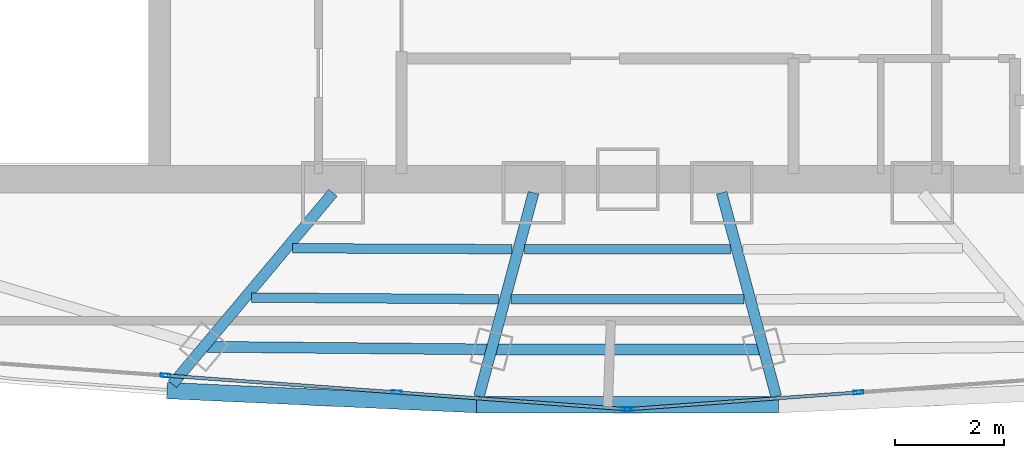
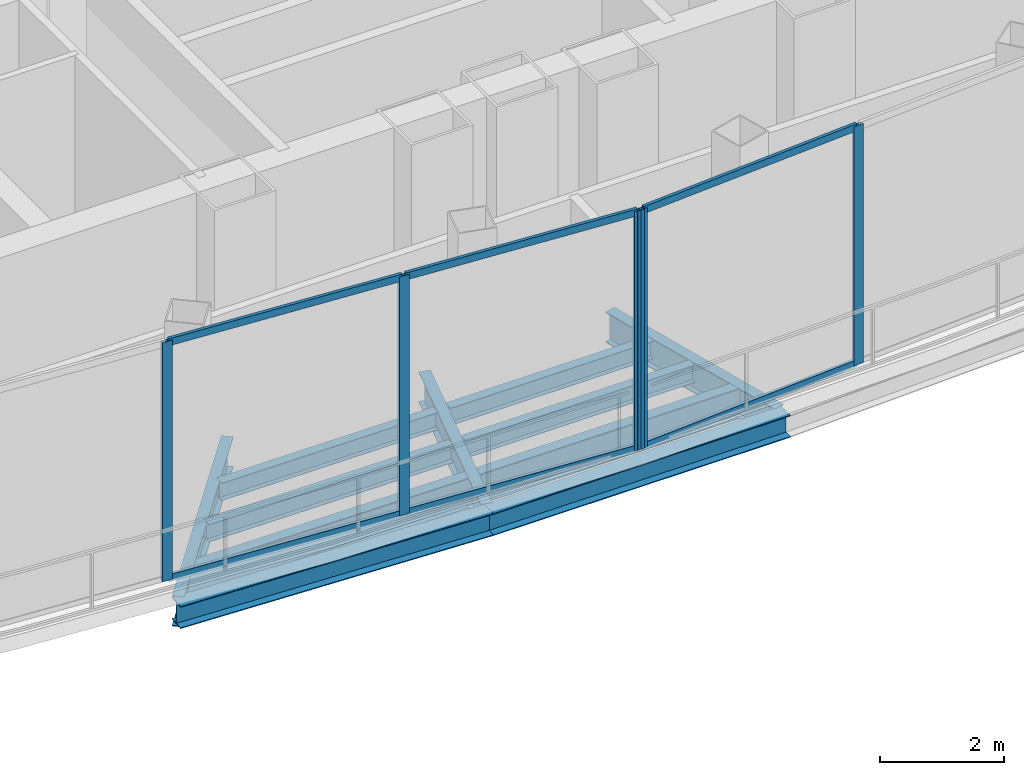
# One storey, part 8 of 32: 11 beams, 11 members, 2 elements without a shape of their own.
"""IFC4 building model written with IfcOpenShell, lengths in metres."""

from ifc_helpers import new_model, si_unit, direction, frame, origin, origin_2d, place, context, subcontext, project, spatial, hollow_rectangle, i_section, extrude, source, transform, mapped, material, layer, layer_set, material_profile, profile_set, type_object, element, aggregate, save


model = new_model("IFC4")

# Units and contexts
model_context = context("Model", 3, precision=1e-05, world=origin(), true_north=direction((0.0, 1.0)))
body_context = subcontext(model_context, "Body", "Model", "MODEL_VIEW")
ifc_project = project(units=[si_unit("LENGTHUNIT", "METRE"), si_unit("AREAUNIT", "SQUARE_METRE"), si_unit("VOLUMEUNIT", "CUBIC_METRE"), si_unit("PLANEANGLEUNIT", "RADIAN"), si_unit("MASSUNIT", "GRAM", prefix="KILO"), si_unit("THERMODYNAMICTEMPERATUREUNIT", "KELVIN"), si_unit("POWERUNIT", "WATT")], contexts=[model_context])

# Site, building, storey
site_placement = place(None, origin())
site = spatial("IfcSite", under=ifc_project, at=site_placement, CompositionType="ELEMENT")
building_placement = place(site_placement, origin())
building = spatial("IfcBuilding", under=site, at=building_placement, Name="Yunzhuo Pagoda Commons", CompositionType="ELEMENT")
storey_placement = place(building_placement, frame((0.0, 0.0, 396.760009765625)))
storey = spatial("IfcBuildingStorey", under=building, at=storey_placement, Name="L98", CompositionType="ELEMENT", Elevation=396.760009765625)

# Beams
ifc_material_1 = material(Name="Structural steel Q355B", Category="steel")
ifc_material_profile_1 = material_profile(ifc_material_1, i_section(OverallWidth=0.199951171875, OverallDepth=0.60009765625, WebThickness=0.010986328125, FlangeThickness=0.01708984375, at=origin_2d()), Name="Structural steel Q355B")
ifc_profile_set_1 = profile_set([ifc_material_profile_1], Name="Structural steel Q355B")
beam_type_1 = type_object("IfcBeamType", Name="B-RG3 Beam HN 600x200x11x17", PredefinedType="BEAM", material=ifc_profile_set_1)
shared_shape_1 = source(origin(), body_context, "Body", "SweptSolid", [
    extrude(i_section(OverallWidth=0.199951171875, OverallDepth=0.60009765625, WebThickness=0.010986328125, FlangeThickness=0.01708984375, at=origin_2d()), origin(), (0.0, 0.0, 1.0), 5.286376953125),
])
beam_1_placement = place(storey_placement, frame((40.214599609375, 24.421630859375, -0.580078125), z_axis=(0.999957341442, -0.009236627946, 0.0), x_axis=(0.009236627946, 0.999957341442, 0.0)))
element("IfcBeam", 1, at=beam_1_placement, inside=storey, type_object=beam_type_1, Name="L98 column-ring beam 1", PredefinedType="BEAM", context=body_context, shape_type="MappedRepresentation", body=[
    mapped(shared_shape_1, transform((0.0, 0.0, 0.0), scale=1.0)),
])
shared_shape_2 = source(origin(), body_context, "Body", "SweptSolid", [
    extrude(i_section(OverallWidth=0.199951171875, OverallDepth=0.60009765625, WebThickness=0.010986328125, FlangeThickness=0.01708984375, at=origin_2d()), origin(), (0.0, 0.0, 1.0), 4.99853515625),
])
beam_2_placement = place(storey_placement, frame((45.500732421875, 24.372802734375, -0.580078125), z_axis=(1.0, 0.0, 0.0), x_axis=(0.0, 1.0, 0.0)))
element("IfcBeam", 2, at=beam_2_placement, inside=storey, type_object=beam_type_1, Name="L98 column-ring beam 2", PredefinedType="BEAM", context=body_context, shape_type="MappedRepresentation", body=[
    mapped(shared_shape_2, transform((0.0, 0.0, 0.0), scale=1.0)),
])
ifc_material_profile_2 = material_profile(ifc_material_1, i_section(OverallWidth=0.175048828125, OverallDepth=0.35009765625, WebThickness=0.007080078125, FlangeThickness=0.010986328125, at=origin_2d()), Name="Structural steel Q355B")
ifc_profile_set_2 = profile_set([ifc_material_profile_2], Name="Structural steel Q355B")
beam_type_2 = type_object("IfcBeamType", Name="B-JS2 Joist HN 350x175x7x11", PredefinedType="JOIST", material=ifc_profile_set_2)
shared_shape_3 = source(origin(), body_context, "Body", "SweptSolid", [
    extrude(i_section(OverallWidth=0.175048828125, OverallDepth=0.35009765625, WebThickness=0.007080078125, FlangeThickness=0.010986328125, at=origin_2d()), origin(), (0.0, 0.0, 1.0), 4.03076171875),
])
beam_3_placement = place(storey_placement, frame((41.848388671875, 26.231201171875, -0.455078125), z_axis=(0.999991518197, -0.004118680996, 0.0), x_axis=(0.004118680996, 0.999991518197, 0.0)))
element("IfcBeam", 3, at=beam_3_placement, inside=storey, type_object=beam_type_2, Name="L98 composite ring joist 1.1", PredefinedType="JOIST", context=body_context, shape_type="MappedRepresentation", body=[
    mapped(shared_shape_3, transform((0.0, 0.0, 0.0), scale=1.0)),
])
shared_shape_4 = source(origin(), body_context, "Body", "SweptSolid", [
    extrude(i_section(OverallWidth=0.175048828125, OverallDepth=0.35009765625, WebThickness=0.007080078125, FlangeThickness=0.010986328125, at=origin_2d()), origin(), (0.0, 0.0, 1.0), 4.54345703125),
])
beam_4_placement = place(storey_placement, frame((41.089111328125, 25.325927734375, -0.455078125), z_axis=(0.999975976237, -0.006931590593, 0.0), x_axis=(0.006931590593, 0.999975976237, 0.0)))
element("IfcBeam", 4, at=beam_4_placement, inside=storey, type_object=beam_type_2, Name="L98 composite ring joist 2.1", PredefinedType="JOIST", context=body_context, shape_type="MappedRepresentation", body=[
    mapped(shared_shape_4, transform((0.0, 0.0, 0.0), scale=1.0)),
])
shared_shape_5 = source(origin(), body_context, "Body", "SweptSolid", [
    extrude(i_section(OverallWidth=0.175048828125, OverallDepth=0.35009765625, WebThickness=0.007080078125, FlangeThickness=0.010986328125, at=origin_2d()), origin(), (0.0, 0.0, 1.0), 3.78173828125),
])
beam_5_placement = place(storey_placement, frame((46.109130859375, 26.214111328125, -0.455078125), z_axis=(1.0, 0.0, 0.0), x_axis=(0.0, 1.0, 0.0)))
element("IfcBeam", 5, at=beam_5_placement, inside=storey, type_object=beam_type_2, Name="L98 composite ring joist 1.2", PredefinedType="JOIST", context=body_context, shape_type="MappedRepresentation", body=[
    mapped(shared_shape_5, transform((0.0, 0.0, 0.0), scale=1.0)),
])
shared_shape_6 = source(origin(), body_context, "Body", "SweptSolid", [
    extrude(i_section(OverallWidth=0.175048828125, OverallDepth=0.35009765625, WebThickness=0.007080078125, FlangeThickness=0.010986328125, at=origin_2d()), origin(), (0.0, 0.0, 1.0), 4.27490234375),
])
beam_6_placement = place(storey_placement, frame((45.862548828125, 25.29345703125, -0.455078125), z_axis=(1.0, 0.0, 0.0), x_axis=(0.0, 1.0, 0.0)))
element("IfcBeam", 6, at=beam_6_placement, inside=storey, type_object=beam_type_2, Name="L98 composite ring joist 2.2", PredefinedType="JOIST", context=body_context, shape_type="MappedRepresentation", body=[
    mapped(shared_shape_6, transform((0.0, 0.0, 0.0), scale=1.0)),
])
shared_shape_7 = source(origin(), body_context, "Body", "SweptSolid", [
    extrude(i_section(OverallWidth=0.199951171875, OverallDepth=0.60009765625, WebThickness=0.010986328125, FlangeThickness=0.01708984375, at=origin_2d()), origin(), (0.0, 0.0, 1.0), 4.587158203125),
])
beam_7_placement = place(storey_placement, frame((39.639404296875, 23.736083984375, -0.580078125), z_axis=(0.642782581433, 0.766048662297, 0.0), x_axis=(-0.766048662297, 0.642782581433, 0.0)))
element("IfcBeam", 7, at=beam_7_placement, inside=storey, type_object=beam_type_1, Name="L98 radial floor girder F1C1", PredefinedType="BEAM", context=body_context, shape_type="MappedRepresentation", body=[
    mapped(shared_shape_7, transform((0.0, 0.0, 0.0), scale=1.0)),
])
shared_shape_8 = source(origin(), body_context, "Body", "SweptSolid", [
    extrude(i_section(OverallWidth=0.199951171875, OverallDepth=0.60009765625, WebThickness=0.010986328125, FlangeThickness=0.01708984375, at=origin_2d()), origin(), (0.0, 0.0, 1.0), 3.873779296875),
])
beam_8_placement = place(storey_placement, frame((45.269287109375, 23.50830078125, -0.580078125), z_axis=(0.258843194056, 0.965919355273, 0.0), x_axis=(-0.965919355273, 0.258843194056, 0.0)))
element("IfcBeam", 8, at=beam_8_placement, inside=storey, type_object=beam_type_1, Name="L98 radial floor girder F1C2", PredefinedType="BEAM", context=body_context, shape_type="MappedRepresentation", body=[
    mapped(shared_shape_8, transform((0.0, 0.0, 0.0), scale=1.0)),
])
shared_shape_9 = source(origin(), body_context, "Body", "SweptSolid", [
    extrude(i_section(OverallWidth=0.199951171875, OverallDepth=0.60009765625, WebThickness=0.010986328125, FlangeThickness=0.01708984375, at=origin_2d()), origin(), (0.0, 0.0, 1.0), 3.87353515625),
])
beam_9_placement = place(storey_placement, frame((50.730712890625, 23.50830078125, -0.580078125), z_axis=(-0.258725583844, 0.965950864312, 0.0), x_axis=(-0.965950864312, -0.258725583844, 0.0)))
element("IfcBeam", 9, at=beam_9_placement, inside=storey, type_object=beam_type_1, Name="L98 radial floor girder F1C3", PredefinedType="BEAM", context=body_context, shape_type="MappedRepresentation", body=[
    mapped(shared_shape_9, transform((0.0, 0.0, 0.0), scale=1.0)),
])
ifc_material_profile_3 = material_profile(ifc_material_1, i_section(OverallWidth=0.300048828125, OverallDepth=0.43994140625, WebThickness=0.010986328125, FlangeThickness=0.01806640625, at=origin_2d()), Name="Structural steel Q355B")
ifc_profile_set_3 = profile_set([ifc_material_profile_3], Name="Structural steel Q355B")
beam_type_3 = type_object("IfcBeamType", Name="B-SP2 Beam HM 440x300x11x18", PredefinedType="BEAM", material=ifc_profile_set_3)
shared_shape_10 = source(origin(), body_context, "Body", "SweptSolid", [
    extrude(i_section(OverallWidth=0.300048828125, OverallDepth=0.43994140625, WebThickness=0.010986328125, FlangeThickness=0.01806640625, at=origin_2d()), origin(), (0.0, 0.0, 1.0), 5.6953125),
])
beam_10_placement = place(storey_placement, frame((39.53955078125, 23.617431640625, -0.5), z_axis=(0.998967125564, -0.045438772447, 0.0), x_axis=(0.045438772447, 0.998967125564, 0.0)))
element("IfcBeam", 10, at=beam_10_placement, inside=storey, type_object=beam_type_3, Name="L98 facade edge spandrel beam F1.1", PredefinedType="BEAM", context=body_context, shape_type="MappedRepresentation", body=[
    mapped(shared_shape_10, transform((0.0, 0.0, 0.0), scale=1.0)),
])
shared_shape_11 = source(origin(), body_context, "Body", "SweptSolid", [
    extrude(i_section(OverallWidth=0.300048828125, OverallDepth=0.43994140625, WebThickness=0.010986328125, FlangeThickness=0.01806640625, at=origin_2d()), origin(), (0.0, 0.0, 1.0), 5.5419921875),
])
beam_11_placement = place(storey_placement, frame((45.22900390625, 23.358642578125, -0.5), z_axis=(1.0, 0.0, 0.0), x_axis=(0.0, 1.0, 0.0)))
element("IfcBeam", 11, at=beam_11_placement, inside=storey, type_object=beam_type_3, Name="L98 facade edge spandrel beam F1.2", PredefinedType="BEAM", context=body_context, shape_type="MappedRepresentation", body=[
    mapped(shared_shape_11, transform((0.0, 0.0, 0.0), scale=1.0)),
])

# Curtain wall, members
ifc_material_2 = material(Name="Anodized aluminium 6063-T6", Category="aluminium")
ifc_layer = layer(ifc_material_2, 0.179931640625)
ifc_layer_set = layer_set([ifc_layer], Name="Anodized aluminium 6063-T6")
curtain_wall_type = type_object("IfcCurtainWallType", Name="CW-CRN Crown Gable Glazing System", PredefinedType="NOTDEFINED", material=ifc_layer_set)
curtain_wall_1_placement = place(storey_placement, origin())
curtain_wall_1 = element("IfcCurtainWall", 12, at=curtain_wall_1_placement, inside=storey, type_object=curtain_wall_type, Name="L98 curtain wall CW-L98-CRNF1G1", PredefinedType="NOTDEFINED")
ifc_material_profile_4 = material_profile(ifc_material_2, hollow_rectangle(XDim=0.06494140625, YDim=0.179931640625, WallThickness=0.00390625, at=origin_2d()), Name="Anodized aluminium 6063-T6")
ifc_profile_set_4 = profile_set([ifc_material_profile_4], Name="Anodized aluminium 6063-T6")
member_type_1 = type_object("IfcMemberType", Name="CW-CRN-M Mullion RHS 180x65x4", PredefinedType="MULLION", material=ifc_profile_set_4)
shared_shape_12 = source(origin(), body_context, "Body", "SweptSolid", [
    extrude(hollow_rectangle(XDim=0.06494140625, YDim=0.179931640625, WallThickness=0.00390625, at=origin_2d()), origin(), (0.0, 0.0, 1.0), 4.72021484375),
])
member_1_placement = place(storey_placement, frame((39.513427734375, 23.8935546875, 0.0), z_axis=(0.0, 0.0, 1.0), x_axis=(0.072795570763, 0.997346882924, 0.0)))
member_1 = element("IfcMember", 13, at=member_1_placement, type_object=member_type_1, Name="CW mullion 3", PredefinedType="MULLION", context=body_context, shape_type="MappedRepresentation", body=[
    mapped(shared_shape_12, transform((0.0, 0.0, 0.0), scale=1.0)),
])
member_2_placement = place(storey_placement, frame((43.759765625, 23.583740234375, 0.0), z_axis=(0.0, 0.0, 1.0), x_axis=(0.072795570763, 0.997346882924, 0.0)))
member_2 = element("IfcMember", 14, at=member_2_placement, type_object=member_type_1, Name="CW mullion 4", PredefinedType="MULLION", context=body_context, shape_type="MappedRepresentation", body=[
    mapped(shared_shape_12, transform((0.0, 0.0, 0.0), scale=1.0)),
])
member_3_placement = place(storey_placement, frame((47.973388671875, 23.276123046875, 0.0), z_axis=(0.0, 0.0, 1.0), x_axis=(0.072795570763, 0.997346882924, 0.0)))
member_3 = element("IfcMember", 15, at=member_3_placement, type_object=member_type_1, Name="CW mullion 5", PredefinedType="MULLION", context=body_context, shape_type="MappedRepresentation", body=[
    mapped(shared_shape_12, transform((0.0, 0.0, 0.0), scale=1.0)),
])

curtain_wall_2_placement = place(storey_placement, origin())
curtain_wall_2 = element("IfcCurtainWall", 16, at=curtain_wall_2_placement, inside=storey, type_object=curtain_wall_type, Name="L98 curtain wall CW-L98-CRNF1G2", PredefinedType="NOTDEFINED")
member_4_placement = place(storey_placement, frame((48.026611328125, 23.276123046875, 0.0), z_axis=(0.0, 0.0, 1.0), x_axis=(-0.072795997095, 0.997346851806, 0.0)))
member_4 = element("IfcMember", 17, at=member_4_placement, type_object=member_type_1, Name="CW mullion 1", PredefinedType="MULLION", context=body_context, shape_type="MappedRepresentation", body=[
    mapped(shared_shape_12, transform((0.0, 0.0, 0.0), scale=1.0)),
])
member_5_placement = place(storey_placement, frame((52.240234375, 23.583740234375, 0.0), z_axis=(0.0, 0.0, 1.0), x_axis=(-0.072795997095, 0.997346851806, 0.0)))
member_5 = element("IfcMember", 18, at=member_5_placement, type_object=member_type_1, Name="CW mullion 2", PredefinedType="MULLION", context=body_context, shape_type="MappedRepresentation", body=[
    mapped(shared_shape_12, transform((0.0, 0.0, 0.0), scale=1.0)),
])

# Member
ifc_material_profile_5 = material_profile(ifc_material_2, hollow_rectangle(XDim=0.06005859375, YDim=0.139892578125, WallThickness=0.00341796875, at=origin_2d()), Name="Anodized aluminium 6063-T6")
ifc_profile_set_5 = profile_set([ifc_material_profile_5], Name="Anodized aluminium 6063-T6")
member_type_2 = type_object("IfcMemberType", Name="CW-CRN-T Transom RHS 140x60x3.5", PredefinedType="USERDEFINED", material=ifc_profile_set_5)
shared_shape_13 = source(origin(), body_context, "Body", "SweptSolid", [
    extrude(hollow_rectangle(XDim=0.06005859375, YDim=0.139892578125, WallThickness=0.00341796875, at=origin_2d()), origin(), (0.0, 0.0, 1.0), 4.192626953125),
])
member_6_placement = place(storey_placement, frame((39.5458984375, 23.891357421875, 0.030029296875), z_axis=(0.99734724805, -0.072790568113, 0.0), x_axis=(0.072790568113, 0.99734724805, 0.0)))
member_6 = element("IfcMember", 19, at=member_6_placement, type_object=member_type_2, Name="CW transom 3.1", ObjectType="TRANSOM", PredefinedType="USERDEFINED", context=body_context, shape_type="MappedRepresentation", body=[
    mapped(shared_shape_13, transform((0.0, 0.0, 0.0), scale=1.0)),
])

member_7_placement = place(storey_placement, frame((39.5458984375, 23.891357421875, 4.68994140625), z_axis=(0.99734724805, -0.072790568113, 0.0), x_axis=(0.072790568113, 0.99734724805, 0.0)))
member_7 = element("IfcMember", 20, at=member_7_placement, type_object=member_type_2, Name="CW transom 3.2", ObjectType="TRANSOM", PredefinedType="USERDEFINED", context=body_context, shape_type="MappedRepresentation", body=[
    mapped(shared_shape_13, transform((0.0, 0.0, 0.0), scale=1.0)),
])

shared_shape_14 = source(origin(), body_context, "Body", "SweptSolid", [
    extrude(hollow_rectangle(XDim=0.06005859375, YDim=0.139892578125, WallThickness=0.00341796875, at=origin_2d()), origin(), (0.0, 0.0, 1.0), 4.159912109375),
])
member_8_placement = place(storey_placement, frame((43.7919921875, 23.581298828125, 0.030029296875), z_axis=(0.997352754644, -0.072715079617, 0.0), x_axis=(0.072715079617, 0.997352754644, 0.0)))
member_8 = element("IfcMember", 21, at=member_8_placement, type_object=member_type_2, Name="CW transom 4.1", ObjectType="TRANSOM", PredefinedType="USERDEFINED", context=body_context, shape_type="MappedRepresentation", body=[
    mapped(shared_shape_14, transform((0.0, 0.0, 0.0), scale=1.0)),
])

member_9_placement = place(storey_placement, frame((43.7919921875, 23.581298828125, 4.68994140625), z_axis=(0.997352754644, -0.072715079617, 0.0), x_axis=(0.072715079617, 0.997352754644, 0.0)))
member_9 = element("IfcMember", 22, at=member_9_placement, type_object=member_type_2, Name="CW transom 4.2", ObjectType="TRANSOM", PredefinedType="USERDEFINED", context=body_context, shape_type="MappedRepresentation", body=[
    mapped(shared_shape_14, transform((0.0, 0.0, 0.0), scale=1.0)),
])

aggregate(curtain_wall_1, [member_1, member_2, member_3, member_6, member_7, member_8, member_9])

member_10_placement = place(storey_placement, frame((48.05908203125, 23.27880859375, 0.030029296875), z_axis=(0.997352754644, 0.072715079617, 0.0), x_axis=(-0.072715079617, 0.997352754644, 0.0)))
member_10 = element("IfcMember", 23, at=member_10_placement, type_object=member_type_2, Name="CW transom 1.1", ObjectType="TRANSOM", PredefinedType="USERDEFINED", context=body_context, shape_type="MappedRepresentation", body=[
    mapped(shared_shape_14, transform((0.0, 0.0, 0.0), scale=1.0)),
])

member_11_placement = place(storey_placement, frame((48.05908203125, 23.27880859375, 4.68994140625), z_axis=(0.997352754644, 0.072715079617, 0.0), x_axis=(-0.072715079617, 0.997352754644, 0.0)))
member_11 = element("IfcMember", 24, at=member_11_placement, type_object=member_type_2, Name="CW transom 1.2", ObjectType="TRANSOM", PredefinedType="USERDEFINED", context=body_context, shape_type="MappedRepresentation", body=[
    mapped(shared_shape_14, transform((0.0, 0.0, 0.0), scale=1.0)),
])

aggregate(curtain_wall_2, [member_4, member_5, member_10, member_11])

save(model, "model.ifc")
